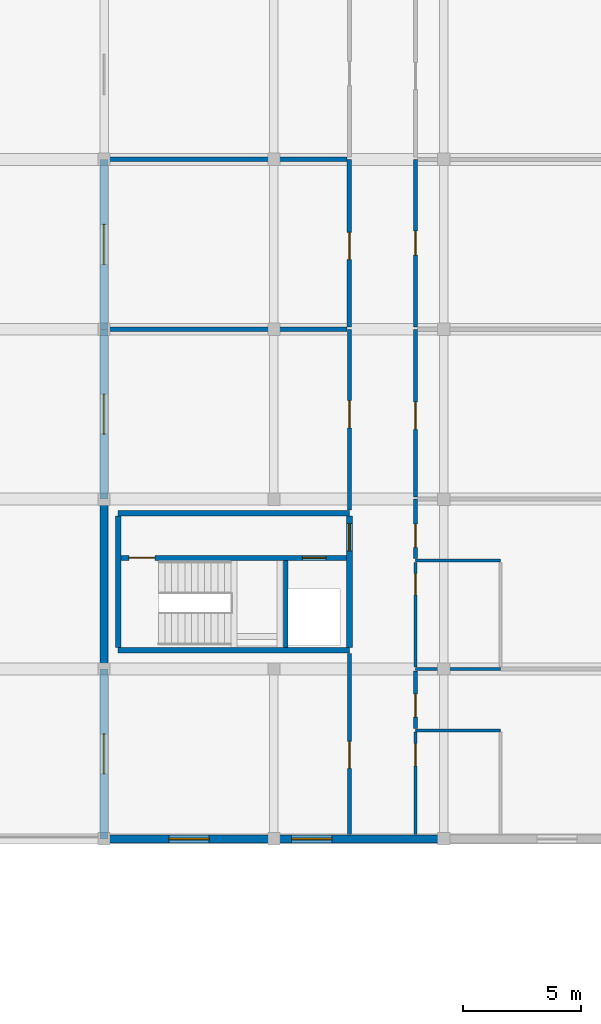
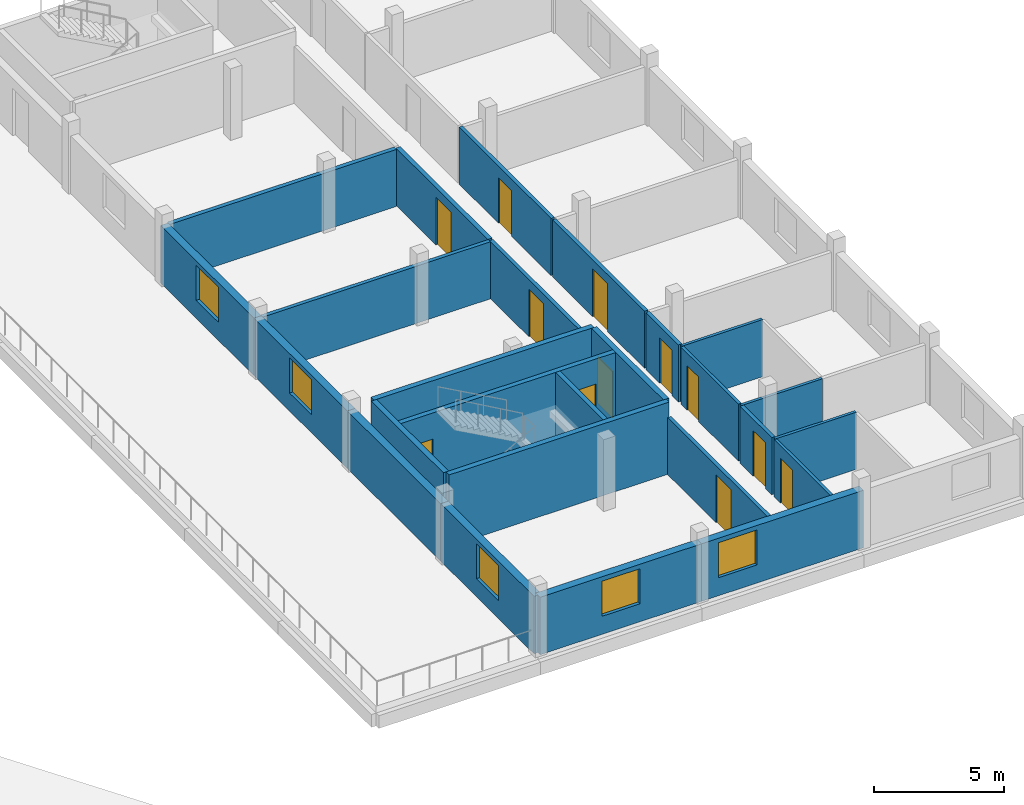
# One storey, part 59 of 66: 26 walls, 12 doors, 5 windows, 17 openings.
"""IFC4 building model written with IfcOpenShell, lengths in metres."""

from ifc_helpers import new_model, si_unit, direction, frame, frame_2d, origin, place, context, subcontext, project, spatial, rectangle, extrude, material, layer, layer_set, type_object, element, fill, save


model = new_model("IFC4")

# Units and contexts
model_context = context("Model", 3, precision=1e-05, world=origin(), true_north=direction((0.0, 1.0)))
body_context = subcontext(model_context, "Body", "Model", "MODEL_VIEW")
ifc_project = project(units=[si_unit("LENGTHUNIT", "METRE"), si_unit("AREAUNIT", "SQUARE_METRE"), si_unit("VOLUMEUNIT", "CUBIC_METRE"), si_unit("PLANEANGLEUNIT", "RADIAN"), si_unit("MASSUNIT", "GRAM", prefix="KILO")], contexts=[model_context])

# Site, building, storey
site_placement = place(None, origin())
site = spatial("IfcSite", under=ifc_project, at=site_placement, CompositionType="ELEMENT")
building_placement = place(site_placement, origin())
building = spatial("IfcBuilding", under=site, at=building_placement, Name="Zornivar Specialist Clinic", CompositionType="ELEMENT")
storey_placement = place(building_placement, frame((0.0, 0.0, 16.0)))
storey = spatial("IfcBuildingStorey", under=building, at=storey_placement, Name="L04", CompositionType="ELEMENT", Elevation=16.0)

# Wall, opening, window
ifc_material_1 = material(Name="Masonry Laboratory Terracotta and Stone Cavity Wall", Category="masonry")
ifc_layer_1 = layer(ifc_material_1, 0.340087890625)
ifc_layer_set_1 = layer_set([ifc_layer_1], Name="Masonry Laboratory Terracotta and Stone Cavity Wall")
wall_type_1 = type_object("IfcWallType", Name="EW-LAB-340", PredefinedType="SOLIDWALL", material=ifc_layer_set_1)
wall_1_placement = place(storey_placement, frame((144.0, 64.800048828125, 0.0), z_axis=(0.0, 0.0, 1.0), x_axis=(1.0, 0.0, 0.0)))
wall_1 = element("IfcWall", 1, at=wall_1_placement, inside=storey, type_object=wall_type_1, Name="ew:V6:L04:00", PredefinedType="SOLIDWALL", context=body_context, shape_type="SweptSolid", body=[
    extrude(rectangle(XDim=7.199951171875, YDim=0.340087890625, at=frame_2d((3.60009765625, 0.0))), origin(), (0.0, 0.0, 1.0), 2.7099609375),
])
opening_1_placement = place(wall_1_placement, frame((2.75, 0.0, 0.85009765625)))
opening_1 = element("IfcOpeningElement", 2, at=opening_1_placement, cuts=wall_1, Name="Opening W-21", PredefinedType="OPENING", context=body_context, shape_type="SweptSolid", body=[
    extrude(rectangle(XDim=1.699951171875, YDim=1.64990234375, at=frame_2d((0.85009765625, 0.824951171875))), frame((0.0, 0.179931640625, 0.0), z_axis=(0.0, -1.0, 0.0), x_axis=(1.0, 0.0, 0.0)), (0.0, 0.0, 1.0), 0.360107421875),
])
ifc_material_2 = material(Name="Triple-Glazed Aluminium-Timber Window Glass", Category="wood")
window_type = type_object("IfcWindowType", Name="WIN-LAB-UPPER-1700x1650", PartitioningType="SINGLE_PANEL", PredefinedType="WINDOW", material=ifc_material_2)
window_1_placement = place(opening_1_placement, origin())
window_1 = element("IfcWindow", 3, at=window_1_placement, inside=storey, type_object=window_type, Name="win:V6:L04:00", OverallHeight=1.64990234375, OverallWidth=1.699951171875, PartitioningType="SINGLE_PANEL", PredefinedType="WINDOW", context=body_context, shape_type="SweptSolid", body=[
    extrude(rectangle(XDim=1.699951171875, YDim=1.64990234375, at=frame_2d((0.85009765625, 0.824951171875))), frame((0.0, 0.030029296875, 0.0), z_axis=(0.0, -1.0, 0.0), x_axis=(1.0, 0.0, 0.0)), (0.0, 0.0, 1.0), 0.06005859375),
])
fill(opening_1, window_1)

wall_2_placement = place(storey_placement, frame((151.199951171875, 64.800048828125, 0.0), z_axis=(0.0, 0.0, 1.0), x_axis=(1.0, 0.0, 0.0)))
wall_2 = element("IfcWall", 4, at=wall_2_placement, inside=storey, type_object=wall_type_1, Name="ew:V6:L04:01", PredefinedType="SOLIDWALL", context=body_context, shape_type="SweptSolid", body=[
    extrude(rectangle(XDim=7.199951171875, YDim=0.340087890625, at=frame_2d((3.60009765625, 0.0))), origin(), (0.0, 0.0, 1.0), 2.7099609375),
])
opening_2_placement = place(wall_2_placement, frame((0.75, 0.0, 0.85009765625)))
opening_2 = element("IfcOpeningElement", 5, at=opening_2_placement, cuts=wall_2, Name="Opening W-21", PredefinedType="OPENING", context=body_context, shape_type="SweptSolid", body=[
    extrude(rectangle(XDim=1.699951171875, YDim=1.64990234375, at=frame_2d((0.85009765625, 0.824951171875))), frame((0.0, 0.179931640625, 0.0), z_axis=(0.0, -1.0, 0.0), x_axis=(1.0, 0.0, 0.0)), (0.0, 0.0, 1.0), 0.360107421875),
])
window_2_placement = place(opening_2_placement, origin())
window_2 = element("IfcWindow", 6, at=window_2_placement, inside=storey, type_object=window_type, Name="win:V6:L04:01", OverallHeight=1.64990234375, OverallWidth=1.699951171875, PartitioningType="SINGLE_PANEL", PredefinedType="WINDOW", context=body_context, shape_type="SweptSolid", body=[
    extrude(rectangle(XDim=1.699951171875, YDim=1.64990234375, at=frame_2d((0.85009765625, 0.824951171875))), frame((0.0, 0.030029296875, 0.0), z_axis=(0.0, -1.0, 0.0), x_axis=(1.0, 0.0, 0.0)), (0.0, 0.0, 1.0), 0.06005859375),
])
fill(opening_2, window_2)

wall_3_placement = place(storey_placement, frame((144.0, 93.60009765625, 0.0), z_axis=(0.0, 0.0, 1.0), x_axis=(0.0, -1.0, 0.0)))
wall_3 = element("IfcWall", 7, at=wall_3_placement, inside=storey, type_object=wall_type_1, Name="ew:V6:L04:14", PredefinedType="SOLIDWALL", context=body_context, shape_type="SweptSolid", body=[
    extrude(rectangle(XDim=7.2001953125, YDim=0.340087890625, at=frame_2d((3.60009765625, 0.0))), origin(), (0.0, 0.0, 1.0), 2.7099609375),
])
opening_3_placement = place(wall_3_placement, frame((2.75, 0.0, 0.85009765625)))
opening_3 = element("IfcOpeningElement", 8, at=opening_3_placement, cuts=wall_3, Name="Opening W-21", PredefinedType="OPENING", context=body_context, shape_type="SweptSolid", body=[
    extrude(rectangle(XDim=1.699951171875, YDim=1.64990234375, at=frame_2d((0.85009765625, 0.824951171875))), frame((0.0, 0.179931640625, 0.0), z_axis=(0.0, -1.0, 0.0), x_axis=(1.0, 0.0, 0.0)), (0.0, 0.0, 1.0), 0.360107421875),
])
window_3_placement = place(opening_3_placement, origin())
window_3 = element("IfcWindow", 9, at=window_3_placement, inside=storey, type_object=window_type, Name="win:V6:L04:14", OverallHeight=1.64990234375, OverallWidth=1.699951171875, PartitioningType="SINGLE_PANEL", PredefinedType="WINDOW", context=body_context, shape_type="SweptSolid", body=[
    extrude(rectangle(XDim=1.699951171875, YDim=1.64990234375, at=frame_2d((0.85009765625, 0.824951171875))), frame((0.0, 0.030029296875, 0.0), z_axis=(0.0, -1.0, 0.0), x_axis=(1.0, 0.0, 0.0)), (0.0, 0.0, 1.0), 0.06005859375),
])
fill(opening_3, window_3)

wall_4_placement = place(storey_placement, frame((144.0, 86.39990234375, 0.0), z_axis=(0.0, 0.0, 1.0), x_axis=(0.0, -1.0, 0.0)))
wall_4 = element("IfcWall", 10, at=wall_4_placement, inside=storey, type_object=wall_type_1, Name="ew:V6:L04:15", PredefinedType="SOLIDWALL", context=body_context, shape_type="SweptSolid", body=[
    extrude(rectangle(XDim=7.199951171875, YDim=0.340087890625, at=frame_2d((3.60009765625, 0.0))), origin(), (0.0, 0.0, 1.0), 2.7099609375),
])
opening_4_placement = place(wall_4_placement, frame((2.75, 0.0, 0.85009765625)))
opening_4 = element("IfcOpeningElement", 11, at=opening_4_placement, cuts=wall_4, Name="Opening W-21", PredefinedType="OPENING", context=body_context, shape_type="SweptSolid", body=[
    extrude(rectangle(XDim=1.699951171875, YDim=1.64990234375, at=frame_2d((0.85009765625, 0.824951171875))), frame((0.0, 0.179931640625, 0.0), z_axis=(0.0, -1.0, 0.0), x_axis=(1.0, 0.0, 0.0)), (0.0, 0.0, 1.0), 0.360107421875),
])
window_4_placement = place(opening_4_placement, origin())
window_4 = element("IfcWindow", 12, at=window_4_placement, inside=storey, type_object=window_type, Name="win:V6:L04:15", OverallHeight=1.64990234375, OverallWidth=1.699951171875, PartitioningType="SINGLE_PANEL", PredefinedType="WINDOW", context=body_context, shape_type="SweptSolid", body=[
    extrude(rectangle(XDim=1.699951171875, YDim=1.64990234375, at=frame_2d((0.85009765625, 0.824951171875))), frame((0.0, 0.030029296875, 0.0), z_axis=(0.0, -1.0, 0.0), x_axis=(1.0, 0.0, 0.0)), (0.0, 0.0, 1.0), 0.06005859375),
])
fill(opening_4, window_4)

# Wall
wall_5_placement = place(storey_placement, frame((144.0, 79.199951171875, 0.0), z_axis=(0.0, 0.0, 1.0), x_axis=(0.0, -1.0, 0.0)))
element("IfcWall", 13, at=wall_5_placement, inside=storey, type_object=wall_type_1, Name="ew:V6:L04:16", PredefinedType="SOLIDWALL", context=body_context, shape_type="SweptSolid", body=[
    extrude(rectangle(XDim=7.199951171875, YDim=0.340087890625, at=frame_2d((3.60009765625, 0.0))), origin(), (0.0, 0.0, 1.0), 2.7099609375),
])

# Wall, opening, window
wall_6_placement = place(storey_placement, frame((144.0, 72.0, 0.0), z_axis=(0.0, 0.0, 1.0), x_axis=(0.0, -1.0, 0.0)))
wall_6 = element("IfcWall", 14, at=wall_6_placement, inside=storey, type_object=wall_type_1, Name="ew:V6:L04:17", PredefinedType="SOLIDWALL", context=body_context, shape_type="SweptSolid", body=[
    extrude(rectangle(XDim=7.199951171875, YDim=0.340087890625, at=frame_2d((3.60009765625, 0.0))), origin(), (0.0, 0.0, 1.0), 2.7099609375),
])
opening_5_placement = place(wall_6_placement, frame((2.75, 0.0, 0.85009765625)))
opening_5 = element("IfcOpeningElement", 15, at=opening_5_placement, cuts=wall_6, Name="Opening W-21", PredefinedType="OPENING", context=body_context, shape_type="SweptSolid", body=[
    extrude(rectangle(XDim=1.699951171875, YDim=1.64990234375, at=frame_2d((0.85009765625, 0.824951171875))), frame((0.0, 0.179931640625, 0.0), z_axis=(0.0, -1.0, 0.0), x_axis=(1.0, 0.0, 0.0)), (0.0, 0.0, 1.0), 0.360107421875),
])
window_5_placement = place(opening_5_placement, origin())
window_5 = element("IfcWindow", 16, at=window_5_placement, inside=storey, type_object=window_type, Name="win:V6:L04:17", OverallHeight=1.64990234375, OverallWidth=1.699951171875, PartitioningType="SINGLE_PANEL", PredefinedType="WINDOW", context=body_context, shape_type="SweptSolid", body=[
    extrude(rectangle(XDim=1.699951171875, YDim=1.64990234375, at=frame_2d((0.85009765625, 0.824951171875))), frame((0.0, 0.030029296875, 0.0), z_axis=(0.0, -1.0, 0.0), x_axis=(1.0, 0.0, 0.0)), (0.0, 0.0, 1.0), 0.06005859375),
])
fill(opening_5, window_5)

# Wall, opening, door
ifc_material_3 = material(Name="Gypsum Fire-Rated Double Stud Partition")
ifc_layer_2 = layer(ifc_material_3, 0.159912109375)
ifc_layer_set_2 = layer_set([ifc_layer_2], Name="Gypsum Fire-Rated Double Stud Partition")
wall_type_2 = type_object("IfcWallType", Name="IW-CORR-EI60-160", PredefinedType="PARTITIONING", material=ifc_layer_set_2)
wall_7_placement = place(storey_placement, frame((154.39990234375, 72.6650390625, 0.0), z_axis=(0.0, 0.0, 1.0), x_axis=(0.0, -1.0, 0.0)))
wall_7 = element("IfcWall", 17, at=wall_7_placement, inside=storey, type_object=wall_type_2, Name="iw:L04:054", PredefinedType="PARTITIONING", context=body_context, shape_type="SweptSolid", body=[
    extrude(rectangle(XDim=7.679931640625, YDim=0.159912109375, at=frame_2d((3.83984375, 0.0))), origin(), (0.0, 0.0, 1.0), 2.68994140625),
])
opening_6_placement = place(wall_7_placement, frame((3.72900390625, 0.0, 0.0)))
opening_6 = element("IfcOpeningElement", 18, at=opening_6_placement, cuts=wall_7, Name="Opening ID-06", PredefinedType="OPENING", context=body_context, shape_type="SweptSolid", body=[
    extrude(rectangle(XDim=1.14990234375, YDim=2.25, at=frame_2d((0.574951171875, 1.125))), frame((0.0, 0.08984375, 0.0), z_axis=(0.0, -1.0, 0.0), x_axis=(1.0, 0.0, 0.0)), (0.0, 0.0, 1.0), 0.179931640625),
])
ifc_material_4 = material(Name="Solid-Core Hygienic Laminate Timber Door", Category="wood")
door_type_1 = type_object("IfcDoorType", Name="ID-LAB-1150x2250", OperationType="NOTDEFINED", PredefinedType="DOOR", material=ifc_material_4)
door_1_placement = place(opening_6_placement, origin())
door_1 = element("IfcDoor", 19, at=door_1_placement, inside=storey, type_object=door_type_1, Name="door:space:V6:L04:rm:00", OperationType="SINGLE_SWING_LEFT", OverallHeight=2.25, OverallWidth=1.14990234375, PredefinedType="DOOR", context=body_context, shape_type="SweptSolid", body=[
    extrude(rectangle(XDim=1.14990234375, YDim=2.25, at=frame_2d((0.574951171875, 1.125))), frame((0.0, 0.02490234375, 0.0), z_axis=(0.0, -1.0, 0.0), x_axis=(1.0, 0.0, 0.0)), (0.0, 0.0, 1.0), 0.050048828125),
])
fill(opening_6, door_1)

wall_8_placement = place(storey_placement, frame((154.39990234375, 86.39990234375, 0.0), z_axis=(0.0, 0.0, 1.0), x_axis=(0.0, -1.0, 0.0)))
wall_8 = element("IfcWall", 20, at=wall_8_placement, inside=storey, type_object=wall_type_2, Name="iw:L04:055", PredefinedType="PARTITIONING", context=body_context, shape_type="SweptSolid", body=[
    extrude(rectangle(XDim=7.664794921875, YDim=0.159912109375, at=frame_2d((3.83251953125, 0.0))), origin(), (0.0, 0.0, 1.0), 2.68994140625),
])
opening_7_placement = place(wall_8_placement, frame((3.02587890625, 0.0, 0.0)))
opening_7 = element("IfcOpeningElement", 21, at=opening_7_placement, cuts=wall_8, Name="Opening ID-06", PredefinedType="OPENING", context=body_context, shape_type="SweptSolid", body=[
    extrude(rectangle(XDim=1.14990234375, YDim=2.25, at=frame_2d((0.574951171875, 1.125))), frame((0.0, 0.08984375, 0.0), z_axis=(0.0, -1.0, 0.0), x_axis=(1.0, 0.0, 0.0)), (0.0, 0.0, 1.0), 0.179931640625),
])
door_2_placement = place(opening_7_placement, origin())
door_2 = element("IfcDoor", 22, at=door_2_placement, inside=storey, type_object=door_type_1, Name="door:space:V6:L04:rm:01", OperationType="SINGLE_SWING_RIGHT", OverallHeight=2.25, OverallWidth=1.14990234375, PredefinedType="DOOR", context=body_context, shape_type="SweptSolid", body=[
    extrude(rectangle(XDim=1.14990234375, YDim=2.25, at=frame_2d((0.574951171875, 1.125))), frame((0.0, 0.02490234375, 0.0), z_axis=(0.0, -1.0, 0.0), x_axis=(1.0, 0.0, 0.0)), (0.0, 0.0, 1.0), 0.050048828125),
])
fill(opening_7, door_2)

wall_9_placement = place(storey_placement, frame((157.199951171875, 69.47900390625, 0.0), z_axis=(0.0, 0.0, 1.0), x_axis=(0.0, 1.0, 0.0)))
wall_9 = element("IfcWall", 23, at=wall_9_placement, inside=storey, type_object=wall_type_2, Name="iw:L04:065", PredefinedType="PARTITIONING", context=body_context, shape_type="SweptSolid", body=[
    extrude(rectangle(XDim=2.44189453125, YDim=0.159912109375, at=frame_2d((1.220947265625, 0.0))), origin(), (0.0, 0.0, 1.0), 2.68994140625),
])
opening_8_placement = place(wall_9_placement, frame((0.47998046875, 0.0, 0.0)))
opening_8 = element("IfcOpeningElement", 24, at=opening_8_placement, cuts=wall_9, Name="Opening ID-09", PredefinedType="OPENING", context=body_context, shape_type="SweptSolid", body=[
    extrude(rectangle(XDim=0.97998046875, YDim=2.14990234375, at=frame_2d((0.489990234375, 1.074951171875))), frame((0.0, 0.08984375, 0.0), z_axis=(0.0, -1.0, 0.0), x_axis=(1.0, 0.0, 0.0)), (0.0, 0.0, 1.0), 0.179931640625),
])
ifc_material_5 = material(Name="Solid-Core Hygienic Laminate Timber Door", Category="wood")
door_type_2 = type_object("IfcDoorType", Name="ID-STAFF-0980x2150", OperationType="NOTDEFINED", PredefinedType="DOOR", material=ifc_material_5)
door_3_placement = place(opening_8_placement, origin())
door_3 = element("IfcDoor", 25, at=door_3_placement, inside=storey, type_object=door_type_2, Name="door:space:V6:L04:rm:04b", OperationType="SINGLE_SWING_RIGHT", OverallHeight=2.14990234375, OverallWidth=0.97998046875, PredefinedType="DOOR", context=body_context, shape_type="SweptSolid", body=[
    extrude(rectangle(XDim=0.97998046875, YDim=2.14990234375, at=frame_2d((0.489990234375, 1.074951171875))), frame((0.0, 0.02490234375, 0.0), z_axis=(0.0, -1.0, 0.0), x_axis=(1.0, 0.0, 0.0)), (0.0, 0.0, 1.0), 0.050048828125),
])
fill(opening_8, door_3)

wall_10_placement = place(storey_placement, frame((157.199951171875, 76.678955078125, 0.0), z_axis=(0.0, 0.0, 1.0), x_axis=(0.0, 1.0, 0.0)))
wall_10 = element("IfcWall", 26, at=wall_10_placement, inside=storey, type_object=wall_type_2, Name="iw:L04:069", PredefinedType="PARTITIONING", context=body_context, shape_type="SweptSolid", body=[
    extrude(rectangle(XDim=2.52099609375, YDim=0.159912109375, at=frame_2d((1.260498046875, 0.0))), origin(), (0.0, 0.0, 1.0), 2.68994140625),
])
opening_9_placement = place(wall_10_placement, frame((0.47998046875, 0.0, 0.0)))
opening_9 = element("IfcOpeningElement", 27, at=opening_9_placement, cuts=wall_10, Name="Opening ID-09", PredefinedType="OPENING", context=body_context, shape_type="SweptSolid", body=[
    extrude(rectangle(XDim=0.97998046875, YDim=2.14990234375, at=frame_2d((0.489990234375, 1.074951171875))), frame((0.0, 0.08984375, 0.0), z_axis=(0.0, -1.0, 0.0), x_axis=(1.0, 0.0, 0.0)), (0.0, 0.0, 1.0), 0.179931640625),
])
door_4_placement = place(opening_9_placement, origin())
door_4 = element("IfcDoor", 28, at=door_4_placement, inside=storey, type_object=door_type_2, Name="door:space:V6:L04:rm:06b", OperationType="SINGLE_SWING_RIGHT", OverallHeight=2.14990234375, OverallWidth=0.97998046875, PredefinedType="DOOR", context=body_context, shape_type="SweptSolid", body=[
    extrude(rectangle(XDim=0.97998046875, YDim=2.14990234375, at=frame_2d((0.489990234375, 1.074951171875))), frame((0.0, 0.02490234375, 0.0), z_axis=(0.0, -1.0, 0.0), x_axis=(1.0, 0.0, 0.0)), (0.0, 0.0, 1.0), 0.050048828125),
])
fill(opening_9, door_4)

wall_11_placement = place(storey_placement, frame((157.199951171875, 79.299072265625, 0.0), z_axis=(0.0, 0.0, 1.0), x_axis=(0.0, 1.0, 0.0)))
wall_11 = element("IfcWall", 29, at=wall_11_placement, inside=storey, type_object=wall_type_2, Name="iw:L04:071", PredefinedType="PARTITIONING", context=body_context, shape_type="SweptSolid", body=[
    extrude(rectangle(XDim=7.100830078125, YDim=0.159912109375, at=frame_2d((3.55029296875, 0.0))), origin(), (0.0, 0.0, 1.0), 2.68994140625),
])
opening_10_placement = place(wall_11_placement, frame((2.85693359375, 0.0, 0.0)))
opening_10 = element("IfcOpeningElement", 30, at=opening_10_placement, cuts=wall_11, Name="Opening ID-06", PredefinedType="OPENING", context=body_context, shape_type="SweptSolid", body=[
    extrude(rectangle(XDim=1.14990234375, YDim=2.25, at=frame_2d((0.574951171875, 1.125))), frame((0.0, 0.08984375, 0.0), z_axis=(0.0, -1.0, 0.0), x_axis=(1.0, 0.0, 0.0)), (0.0, 0.0, 1.0), 0.179931640625),
])
door_5_placement = place(opening_10_placement, origin())
door_5 = element("IfcDoor", 31, at=door_5_placement, inside=storey, type_object=door_type_1, Name="door:space:V6:L04:rm:08", OperationType="SINGLE_SWING_LEFT", OverallHeight=2.25, OverallWidth=1.14990234375, PredefinedType="DOOR", context=body_context, shape_type="SweptSolid", body=[
    extrude(rectangle(XDim=1.14990234375, YDim=2.25, at=frame_2d((0.574951171875, 1.125))), frame((0.0, 0.02490234375, 0.0), z_axis=(0.0, -1.0, 0.0), x_axis=(1.0, 0.0, 0.0)), (0.0, 0.0, 1.0), 0.050048828125),
])
fill(opening_10, door_5)

wall_12_placement = place(storey_placement, frame((157.199951171875, 86.4990234375, 0.0), z_axis=(0.0, 0.0, 1.0), x_axis=(0.0, 1.0, 0.0)))
wall_12 = element("IfcWall", 32, at=wall_12_placement, inside=storey, type_object=wall_type_2, Name="iw:L04:073", PredefinedType="PARTITIONING", context=body_context, shape_type="SweptSolid", body=[
    extrude(rectangle(XDim=7.10107421875, YDim=0.159912109375, at=frame_2d((3.550537109375, 0.0))), origin(), (0.0, 0.0, 1.0), 2.68994140625),
])
opening_11_placement = place(wall_12_placement, frame((3.0400390625, 0.0, 0.0)))
opening_11 = element("IfcOpeningElement", 33, at=opening_11_placement, cuts=wall_12, Name="Opening ID-14", PredefinedType="OPENING", context=body_context, shape_type="SweptSolid", body=[
    extrude(rectangle(XDim=1.02001953125, YDim=2.14990234375, at=frame_2d((0.510009765625, 1.074951171875))), frame((0.0, 0.08984375, 0.0), z_axis=(0.0, -1.0, 0.0), x_axis=(1.0, 0.0, 0.0)), (0.0, 0.0, 1.0), 0.179931640625),
])
ifc_material_6 = material(Name="Solid-Core Hygienic Laminate Timber Door", Category="wood")
door_type_3 = type_object("IfcDoorType", Name="ID-OFFICE-1020x2150", OperationType="NOTDEFINED", PredefinedType="DOOR", material=ifc_material_6)
door_6_placement = place(opening_11_placement, origin())
door_6 = element("IfcDoor", 34, at=door_6_placement, inside=storey, type_object=door_type_3, Name="door:space:V6:L04:rm:09", OperationType="SINGLE_SWING_RIGHT", OverallHeight=2.14990234375, OverallWidth=1.02001953125, PredefinedType="DOOR", context=body_context, shape_type="SweptSolid", body=[
    extrude(rectangle(XDim=1.02001953125, YDim=2.14990234375, at=frame_2d((0.510009765625, 1.074951171875))), frame((0.0, 0.02490234375, 0.0), z_axis=(0.0, -1.0, 0.0), x_axis=(1.0, 0.0, 0.0)), (0.0, 0.0, 1.0), 0.050048828125),
])
fill(opening_11, door_6)

# Wall
ifc_material_7 = material(Name="Laboratory Chemical-Resistant Stud Partition")
ifc_layer_3 = layer(ifc_material_7, 0.169921875)
ifc_layer_set_3 = layer_set([ifc_layer_3], Name="Laboratory Chemical-Resistant Stud Partition")
wall_type_3 = type_object("IfcWallType", Name="IW-LAB-EI60-170", PredefinedType="PARTITIONING", material=ifc_layer_set_3)
wall_13_placement = place(storey_placement, frame((144.18505859375, 86.39990234375, 0.0), z_axis=(0.0, 0.0, 1.0), x_axis=(1.0, 0.0, 0.0)))
element("IfcWall", 35, at=wall_13_placement, inside=storey, type_object=wall_type_3, Name="iw:L04:056", PredefinedType="PARTITIONING", context=body_context, shape_type="SweptSolid", body=[
    extrude(rectangle(XDim=10.120849609375, YDim=0.169921875, at=frame_2d((5.060546875, 0.0))), origin(), (0.0, 0.0, 1.0), 2.68994140625),
])

# Wall, opening, door
ifc_material_8 = material(Name="GMP Cleanroom Insulated Double Partition")
ifc_layer_4 = layer(ifc_material_8, 0.18994140625)
ifc_layer_set_4 = layer_set([ifc_layer_4], Name="GMP Cleanroom Insulated Double Partition")
wall_type_4 = type_object("IfcWallType", Name="IW-PHARM-GMP-190", PredefinedType="PARTITIONING", material=ifc_layer_set_4)
wall_14_placement = place(storey_placement, frame((154.39990234375, 93.60009765625, 0.0), z_axis=(0.0, 0.0, 1.0), x_axis=(0.0, -1.0, 0.0)))
wall_14 = element("IfcWall", 36, at=wall_14_placement, inside=storey, type_object=wall_type_4, Name="iw:L04:057", PredefinedType="PARTITIONING", context=body_context, shape_type="SweptSolid", body=[
    extrude(rectangle(XDim=7.10107421875, YDim=0.18994140625, at=frame_2d((3.550537109375, 0.0))), origin(), (0.0, 0.0, 1.0), 2.68994140625),
])
opening_12_placement = place(wall_14_placement, frame((3.093994140625, 0.0, 0.0)))
opening_12 = element("IfcOpeningElement", 37, at=opening_12_placement, cuts=wall_14, Name="Opening ID-06", PredefinedType="OPENING", context=body_context, shape_type="SweptSolid", body=[
    extrude(rectangle(XDim=1.14990234375, YDim=2.25, at=frame_2d((0.574951171875, 1.125))), frame((0.0, 0.10498046875, 0.0), z_axis=(0.0, -1.0, 0.0), x_axis=(1.0, 0.0, 0.0)), (0.0, 0.0, 1.0), 0.2099609375),
])
door_7_placement = place(opening_12_placement, origin())
door_7 = element("IfcDoor", 38, at=door_7_placement, inside=storey, type_object=door_type_1, Name="door:space:V6:L04:rm:02", OperationType="SINGLE_SWING_LEFT", OverallHeight=2.25, OverallWidth=1.14990234375, PredefinedType="DOOR", context=body_context, shape_type="SweptSolid", body=[
    extrude(rectangle(XDim=1.14990234375, YDim=2.25, at=frame_2d((0.574951171875, 1.125))), frame((0.0, 0.02490234375, 0.0), z_axis=(0.0, -1.0, 0.0), x_axis=(1.0, 0.0, 0.0)), (0.0, 0.0, 1.0), 0.050048828125),
])
fill(opening_12, door_7)

# Walls
wall_15_placement = place(storey_placement, frame((144.18505859375, 93.60009765625, 0.0), z_axis=(0.0, 0.0, 1.0), x_axis=(1.0, 0.0, 0.0)))
element("IfcWall", 39, at=wall_15_placement, inside=storey, type_object=wall_type_4, Name="iw:L04:058", PredefinedType="PARTITIONING", context=body_context, shape_type="SweptSolid", body=[
    extrude(rectangle(XDim=10.10595703125, YDim=0.18994140625, at=frame_2d((5.052978515625, 0.0))), origin(), (0.0, 0.0, 1.0), 2.68994140625),
])
ifc_material_9 = material(Name="Moisture-Resistant Sanitary Partition")
ifc_layer_5 = layer(ifc_material_9, 0.1298828125)
ifc_layer_set_5 = layer_set([ifc_layer_5], Name="Moisture-Resistant Sanitary Partition")
wall_type_5 = type_object("IfcWallType", Name="IW-WET-130", PredefinedType="PARTITIONING", material=ifc_layer_set_5)
wall_16_placement = place(storey_placement, frame((157.199951171875, 69.39990234375, 0.0), z_axis=(0.0, 0.0, 1.0), x_axis=(1.0, 0.0, 0.0)))
element("IfcWall", 40, at=wall_16_placement, inside=storey, type_object=wall_type_5, Name="iw:L04:060", PredefinedType="PARTITIONING", context=body_context, shape_type="SweptSolid", body=[
    extrude(rectangle(XDim=3.60009765625, YDim=0.1298828125, at=frame_2d((1.800048828125, 0.0))), origin(), (0.0, 0.0, 1.0), 2.68994140625),
])

# Wall, opening, door
wall_17_placement = place(storey_placement, frame((157.199951171875, 64.985107421875, 0.0), z_axis=(0.0, 0.0, 1.0), x_axis=(0.0, 1.0, 0.0)))
wall_17 = element("IfcWall", 41, at=wall_17_placement, inside=storey, type_object=wall_type_5, Name="iw:L04:062", PredefinedType="PARTITIONING", context=body_context, shape_type="SweptSolid", body=[
    extrude(rectangle(XDim=4.3359375, YDim=0.1298828125, at=frame_2d((2.16796875, 0.0))), origin(), (0.0, 0.0, 1.0), 2.68994140625),
])
opening_13_placement = place(wall_17_placement, frame((2.906005859375, 0.0, 0.0)))
opening_13 = element("IfcOpeningElement", 42, at=opening_13_placement, cuts=wall_17, Name="Opening ID-07", PredefinedType="OPENING", context=body_context, shape_type="SweptSolid", body=[
    extrude(rectangle(XDim=0.949951171875, YDim=2.10009765625, at=frame_2d((0.47509765625, 1.050048828125))), frame((0.0, 0.074951171875, 0.0), z_axis=(0.0, -1.0, 0.0), x_axis=(1.0, 0.0, 0.0)), (0.0, 0.0, 1.0), 0.14990234375),
])
ifc_material_10 = material(Name="Solid-Core Hygienic Laminate Timber Door", Category="wood")
door_type_4 = type_object("IfcDoorType", Name="ID-WC-ACC-0950x2100", OperationType="NOTDEFINED", PredefinedType="DOOR", material=ifc_material_10)
door_8_placement = place(opening_13_placement, origin())
door_8 = element("IfcDoor", 43, at=door_8_placement, inside=storey, type_object=door_type_4, Name="door:space:V6:L04:rm:04", OperationType="SINGLE_SWING_LEFT", OverallHeight=2.10009765625, OverallWidth=0.949951171875, PredefinedType="DOOR", context=body_context, shape_type="SweptSolid", body=[
    extrude(rectangle(XDim=0.949951171875, YDim=2.10009765625, at=frame_2d((0.47509765625, 1.050048828125))), frame((0.0, 0.02490234375, 0.0), z_axis=(0.0, -1.0, 0.0), x_axis=(1.0, 0.0, 0.0)), (0.0, 0.0, 1.0), 0.050048828125),
])
fill(opening_13, door_8)

# Walls
for number, where, z_axis, x_axis, name in (
    (44, (157.199951171875, 72.0, 0.0), (0.0, 0.0, 1.0), (1.0, 0.0, 0.0), "iw:L04:063"),
    (45, (157.199951171875, 76.60009765625, 0.0), (0.0, 0.0, 1.0), (1.0, 0.0, 0.0), "iw:L04:066"),
):
    element("IfcWall", number, at=place(storey_placement, frame(where, z_axis=z_axis, x_axis=x_axis)), inside=storey, type_object=wall_type_5, Name=name, PredefinedType="PARTITIONING", context=body_context, shape_type="SweptSolid", body=[
        extrude(rectangle(XDim=3.60009765625, YDim=0.1298828125, at=frame_2d((1.800048828125, 0.0))), origin(), (0.0, 0.0, 1.0), 2.68994140625),
    ])

# Wall, opening, door
wall_18_placement = place(storey_placement, frame((157.199951171875, 72.0791015625, 0.0), z_axis=(0.0, 0.0, 1.0), x_axis=(0.0, 1.0, 0.0)))
wall_18 = element("IfcWall", 46, at=wall_18_placement, inside=storey, type_object=wall_type_5, Name="iw:L04:068", PredefinedType="PARTITIONING", context=body_context, shape_type="SweptSolid", body=[
    extrude(rectangle(XDim=4.44189453125, YDim=0.1298828125, at=frame_2d((2.220947265625, 0.0))), origin(), (0.0, 0.0, 1.0), 2.68994140625),
])
opening_14_placement = place(wall_18_placement, frame((3.06201171875, 0.0, 0.0)))
opening_14 = element("IfcOpeningElement", 47, at=opening_14_placement, cuts=wall_18, Name="Opening ID-08", PredefinedType="OPENING", context=body_context, shape_type="SweptSolid", body=[
    extrude(rectangle(XDim=0.89990234375, YDim=2.10009765625, at=frame_2d((0.449951171875, 1.050048828125))), frame((0.0, 0.074951171875, 0.0), z_axis=(0.0, -1.0, 0.0), x_axis=(1.0, 0.0, 0.0)), (0.0, 0.0, 1.0), 0.14990234375),
])
ifc_material_11 = material(Name="Solid-Core Hygienic Laminate Timber Door", Category="wood")
door_type_5 = type_object("IfcDoorType", Name="ID-WC-STD-0900x2100", OperationType="NOTDEFINED", PredefinedType="DOOR", material=ifc_material_11)
door_9_placement = place(opening_14_placement, origin())
door_9 = element("IfcDoor", 48, at=door_9_placement, inside=storey, type_object=door_type_5, Name="door:space:V6:L04:rm:06", OperationType="SINGLE_SWING_LEFT", OverallHeight=2.10009765625, OverallWidth=0.89990234375, PredefinedType="DOOR", context=body_context, shape_type="SweptSolid", body=[
    extrude(rectangle(XDim=0.89990234375, YDim=2.10009765625, at=frame_2d((0.449951171875, 1.050048828125))), frame((0.0, 0.02490234375, 0.0), z_axis=(0.0, -1.0, 0.0), x_axis=(1.0, 0.0, 0.0)), (0.0, 0.0, 1.0), 0.050048828125),
])
fill(opening_14, door_9)

# Wall
ifc_material_12 = material(Name="Concrete C35/45", Category="concrete")
ifc_layer_6 = layer(ifc_material_12, 0.239990234375)
ifc_layer_set_6 = layer_set([ifc_layer_6], Name="Concrete C35/45")
wall_type_6 = type_object("IfcWallType", Name="SW-CORE-240", PredefinedType="SHEAR", material=ifc_layer_set_6)
wall_19_placement = place(storey_placement, frame((144.60009765625, 72.800048828125, 0.0), z_axis=(0.0, 0.0, 1.0), x_axis=(1.0, 0.0, 0.0)))
element("IfcWall", 49, at=wall_19_placement, inside=storey, type_object=wall_type_6, Name="sw:C9:L04:w0", PredefinedType="SHEAR", context=body_context, shape_type="SweptSolid", body=[
    extrude(rectangle(XDim=9.7998046875, YDim=0.239990234375, at=frame_2d((4.89990234375, 0.0))), origin(), (0.0, 0.0, 1.0), 3.3798828125),
])

# Wall, opening, door
wall_20_placement = place(storey_placement, frame((154.39990234375, 72.919921875, 0.0), z_axis=(0.0, 0.0, 1.0), x_axis=(0.0, 1.0, 0.0)))
wall_20 = element("IfcWall", 50, at=wall_20_placement, inside=storey, type_object=wall_type_6, Name="sw:C9:L04:w1", PredefinedType="SHEAR", context=body_context, shape_type="SweptSolid", body=[
    extrude(rectangle(XDim=5.56005859375, YDim=0.239990234375, at=frame_2d((2.780029296875, 0.0))), origin(), (0.0, 0.0, 1.0), 3.3798828125),
])
opening_15_placement = place(wall_20_placement, frame((4.090087890625, 0.0, 0.0)))
opening_15 = element("IfcOpeningElement", 51, at=opening_15_placement, cuts=wall_20, Name="Opening FD-03", PredefinedType="OPENING", context=body_context, shape_type="SweptSolid", body=[
    extrude(rectangle(XDim=1.14990234375, YDim=2.199951171875, at=frame_2d((0.574951171875, 1.10009765625))), frame((0.0, 0.1298828125, 0.0), z_axis=(0.0, -1.0, 0.0), x_axis=(1.0, 0.0, 0.0)), (0.0, 0.0, 1.0), 0.260009765625),
])
ifc_material_13 = material(Name="Solid-Core Hygienic Laminate Timber Door", Category="wood")
door_type_6 = type_object("IfcDoorType", Name="FD-LOBBY-UPPER-1150x2200", OperationType="NOTDEFINED", PredefinedType="DOOR", material=ifc_material_13)
door_10_placement = place(opening_15_placement, origin())
door_10 = element("IfcDoor", 52, at=door_10_placement, inside=storey, type_object=door_type_6, Name="door:C9:L04:lob", OperationType="SINGLE_SWING_RIGHT", OverallHeight=2.199951171875, OverallWidth=1.14990234375, PredefinedType="DOOR", context=body_context, shape_type="SweptSolid", body=[
    extrude(rectangle(XDim=1.14990234375, YDim=2.199951171875, at=frame_2d((0.574951171875, 1.10009765625))), frame((0.0, 0.02490234375, 0.0), z_axis=(0.0, -1.0, 0.0), x_axis=(1.0, 0.0, 0.0)), (0.0, 0.0, 1.0), 0.050048828125),
])
fill(opening_15, door_10)

# Walls
wall_21_placement = place(storey_placement, frame((154.39990234375, 78.60009765625, 0.0), z_axis=(0.0, 0.0, 1.0), x_axis=(-1.0, 0.0, 0.0)))
element("IfcWall", 53, at=wall_21_placement, inside=storey, type_object=wall_type_6, Name="sw:C9:L04:w2", PredefinedType="SHEAR", context=body_context, shape_type="SweptSolid", body=[
    extrude(rectangle(XDim=9.7998046875, YDim=0.239990234375, at=frame_2d((4.89990234375, 0.0))), origin(), (0.0, 0.0, 1.0), 3.3798828125),
])
wall_22_placement = place(storey_placement, frame((144.60009765625, 78.47998046875, 0.0), z_axis=(0.0, 0.0, 1.0), x_axis=(0.0, -1.0, 0.0)))
element("IfcWall", 54, at=wall_22_placement, inside=storey, type_object=wall_type_6, Name="sw:C9:L04:w3", PredefinedType="SHEAR", context=body_context, shape_type="SweptSolid", body=[
    extrude(rectangle(XDim=5.56005859375, YDim=0.239990234375, at=frame_2d((2.780029296875, 0.0))), origin(), (0.0, 0.0, 1.0), 3.3798828125),
])
ifc_material_14 = material(Name="Concrete C30/37", Category="concrete")
ifc_layer_7 = layer(ifc_material_14, 0.199951171875)
ifc_layer_set_7 = layer_set([ifc_layer_7], Name="Concrete C30/37")
wall_type_7 = type_object("IfcWallType", Name="SW-LIFT-200", PredefinedType="SHEAR", material=ifc_layer_set_7)
wall_23_placement = place(storey_placement, frame((151.699951171875, 72.919921875, 0.0), z_axis=(0.0, 0.0, 1.0), x_axis=(0.0, 1.0, 0.0)))
element("IfcWall", 55, at=wall_23_placement, inside=storey, type_object=wall_type_7, Name="sw:C9:L04:sdiv", PredefinedType="SHEAR", context=body_context, shape_type="SweptSolid", body=[
    extrude(rectangle(XDim=3.68017578125, YDim=0.199951171875, at=frame_2d((1.840087890625, 0.0))), origin(), (0.0, 0.0, 1.0), 3.3798828125),
])

# Wall, openings, doors
ifc_material_15 = material(Name="Concrete C30/37", Category="concrete")
ifc_layer_8 = layer(ifc_material_15, 0.219970703125)
ifc_layer_set_8 = layer_set([ifc_layer_8], Name="Concrete C30/37")
wall_type_8 = type_object("IfcWallType", Name="SW-SHAFT-220", PredefinedType="SHEAR", material=ifc_layer_set_8)
wall_24_placement = place(storey_placement, frame((144.719970703125, 76.7099609375, 0.0), z_axis=(0.0, 0.0, 1.0), x_axis=(1.0, 0.0, 0.0)))
wall_24 = element("IfcWall", 56, at=wall_24_placement, inside=storey, type_object=wall_type_8, Name="sw:C9:L04:stwall", PredefinedType="SHEAR", context=body_context, shape_type="SweptSolid", body=[
    extrude(rectangle(XDim=9.56005859375, YDim=0.219970703125, at=frame_2d((4.780029296875, 0.0))), origin(), (0.0, 0.0, 1.0), 3.3798828125),
])
opening_16_placement = place(wall_24_placement, frame((0.330078125, 0.0, 0.0)))
opening_16 = element("IfcOpeningElement", 57, at=opening_16_placement, cuts=wall_24, Name="Opening FD-02", PredefinedType="OPENING", context=body_context, shape_type="SweptSolid", body=[
    extrude(rectangle(XDim=1.10009765625, YDim=2.14990234375, at=frame_2d((0.550048828125, 1.074951171875))), frame((0.0, 0.119873046875, 0.0), z_axis=(0.0, -1.0, 0.0), x_axis=(1.0, 0.0, 0.0)), (0.0, 0.0, 1.0), 0.239990234375),
])
opening_17_placement = place(wall_24_placement, frame((7.679931640625, 0.0, 0.0)))
opening_17 = element("IfcOpeningElement", 58, at=opening_17_placement, cuts=wall_24, Name="Opening LD-02", PredefinedType="OPENING", context=body_context, shape_type="SweptSolid", body=[
    extrude(rectangle(XDim=1.0, YDim=2.199951171875, at=frame_2d((0.5, 1.10009765625))), frame((0.0, 0.119873046875, 0.0), z_axis=(0.0, -1.0, 0.0), x_axis=(1.0, 0.0, 0.0)), (0.0, 0.0, 1.0), 0.239990234375),
])
ifc_material_16 = material(Name="Solid-Core Hygienic Laminate Timber Door", Category="wood")
door_type_7 = type_object("IfcDoorType", Name="FD-STAIR-1100x2150", OperationType="NOTDEFINED", PredefinedType="DOOR", material=ifc_material_16)
door_11_placement = place(opening_16_placement, origin())
door_11 = element("IfcDoor", 59, at=door_11_placement, inside=storey, type_object=door_type_7, Name="door:C9:L04:stair", OperationType="SINGLE_SWING_LEFT", OverallHeight=2.14990234375, OverallWidth=1.10009765625, PredefinedType="DOOR", context=body_context, shape_type="SweptSolid", body=[
    extrude(rectangle(XDim=1.10009765625, YDim=2.14990234375, at=frame_2d((0.550048828125, 1.074951171875))), frame((0.0, 0.02490234375, 0.0), z_axis=(0.0, -1.0, 0.0), x_axis=(1.0, 0.0, 0.0)), (0.0, 0.0, 1.0), 0.050048828125),
])
fill(opening_16, door_11)
ifc_material_17 = material(Name="Stainless Steel Lift Landing Sliding Door", Category="steel")
door_type_8 = type_object("IfcDoorType", Name="LD-LIFT-1000x2200", OperationType="NOTDEFINED", PredefinedType="DOOR", material=ifc_material_17)
door_12_placement = place(opening_17_placement, origin())
door_12 = element("IfcDoor", 60, at=door_12_placement, inside=storey, type_object=door_type_8, Name="door:C9:L04:lift", OperationType="DOUBLE_DOOR_SLIDING", OverallHeight=2.199951171875, OverallWidth=1.0, PredefinedType="DOOR", context=body_context, shape_type="SweptSolid", body=[
    extrude(rectangle(XDim=1.0, YDim=2.199951171875, at=frame_2d((0.5, 1.10009765625))), frame((0.0, 0.02490234375, 0.0), z_axis=(0.0, -1.0, 0.0), x_axis=(1.0, 0.0, 0.0)), (0.0, 0.0, 1.0), 0.050048828125),
])
fill(opening_17, door_12)

save(model, "model.ifc")
